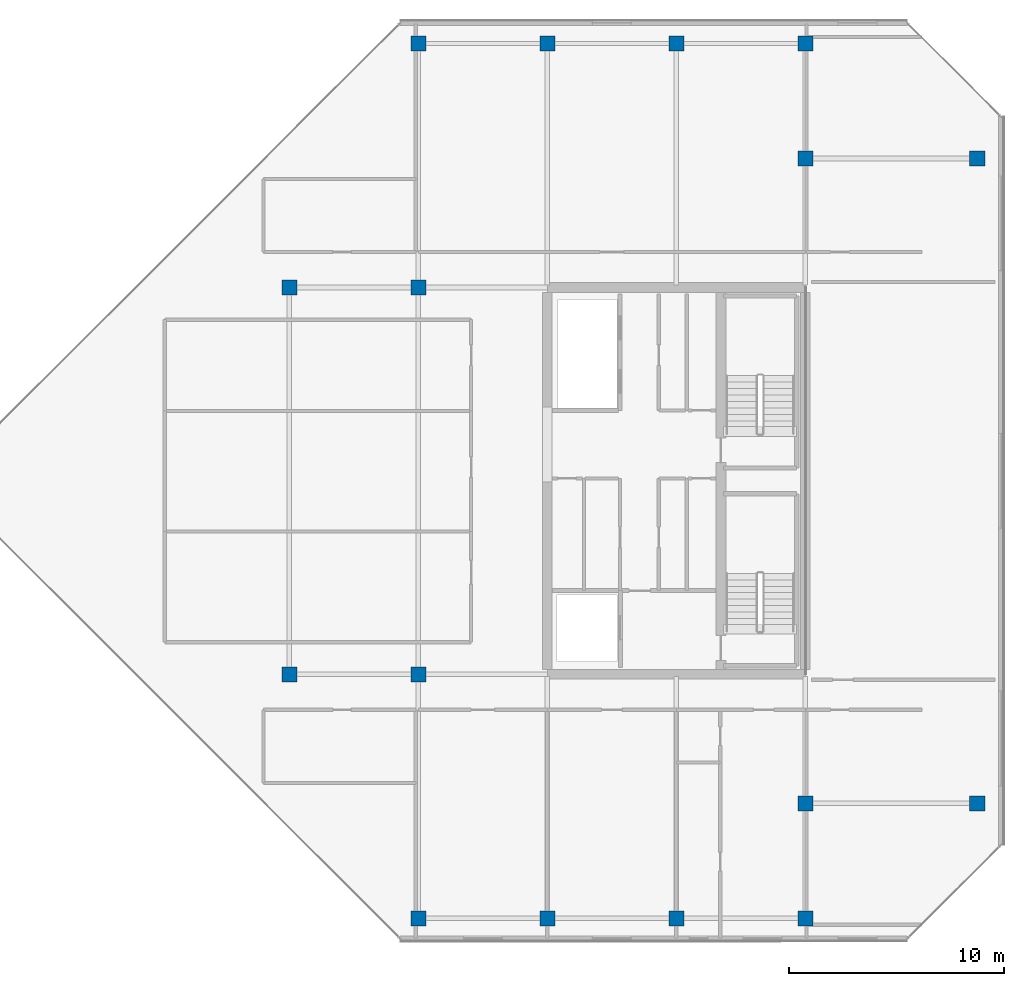
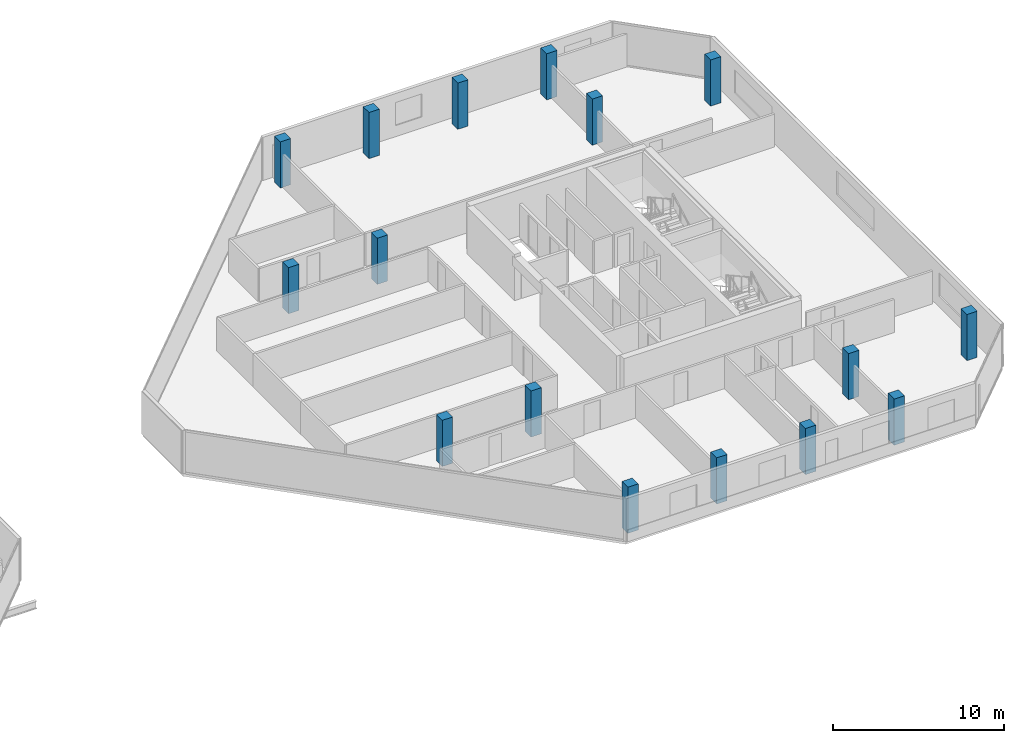
# One storey, part 1 of 29: 16 columns.
"""IFC4 building model written with IfcOpenShell, lengths in metres."""

from ifc_helpers import new_model, si_unit, direction, frame, origin, origin_2d, place, context, subcontext, project, spatial, rectangle, extrude, material, material_profile, profile_set, type_object, element, save


model = new_model("IFC4")

# Units and contexts
model_context = context("Model", 3, precision=1e-05, world=origin(), true_north=direction((0.0, 1.0)))
body_context = subcontext(model_context, "Body", "Model", "MODEL_VIEW")
ifc_project = project(units=[si_unit("LENGTHUNIT", "METRE"), si_unit("AREAUNIT", "SQUARE_METRE"), si_unit("VOLUMEUNIT", "CUBIC_METRE"), si_unit("PLANEANGLEUNIT", "RADIAN"), si_unit("MASSUNIT", "GRAM", prefix="KILO")], contexts=[model_context])

# Site, building, storey
site_placement = place(None, origin())
site = spatial("IfcSite", under=ifc_project, at=site_placement, CompositionType="ELEMENT")
building_placement = place(site_placement, origin())
building = spatial("IfcBuilding", under=site, at=building_placement, Name="Tanjung Sevakor Pilgrim Tower", CompositionType="ELEMENT")
storey_placement = place(building_placement, frame((0.0, 0.0, 235.949951171875)))
storey = spatial("IfcBuildingStorey", under=building, at=storey_placement, Name="L66", CompositionType="ELEMENT", Elevation=235.949951171875)

# Columns
ifc_material = material(Name="Concrete C60/75", Category="concrete")
ifc_material_profile = material_profile(ifc_material, rectangle(XDim=0.699951171875, YDim=0.699951171875, at=origin_2d()))
ifc_profile_set = profile_set([ifc_material_profile], Name="Concrete C60/75")
column_type = type_object("IfcColumnType", Name="COL-C-T700-RC_700x700", PredefinedType="COLUMN", material=ifc_profile_set)
for number, where, z_axis, x_axis, name in (
    (1, (66.0, 24.60009765625, 0.0), (0.0, 0.0, 1.0), (1.0, 0.0, 0.0), "L66 Column SPE-066-246"),
    (2, (66.0, 42.60009765625, 0.0), (0.0, 0.0, 1.0), (1.0, 0.0, 0.0), "L66 Column SPE-066-426"),
    (3, (72.0, 24.60009765625, 0.0), (0.0, 0.0, 1.0), (1.0, 0.0, 0.0), "L66 Column SPE-072-246"),
    (4, (72.0, 42.60009765625, 0.0), (0.0, 0.0, 1.0), (1.0, 0.0, 0.0), "L66 Column SPE-072-426"),
    (5, (90.0, 18.60009765625, 0.0), (0.0, 0.0, 1.0), (1.0, 0.0, 0.0), "L66 Column TCE-0900-186"),
    (6, (90.0, 48.60009765625, 0.0), (0.0, 0.0, 1.0), (1.0, 0.0, 0.0), "L66 Column TCE-0900-486"),
    (7, (98.0, 18.60009765625, 0.0), (0.0, 0.0, 1.0), (1.0, 0.0, 0.0), "L66 Column TCE-0980-186"),
    (8, (98.0, 48.60009765625, 0.0), (0.0, 0.0, 1.0), (1.0, 0.0, 0.0), "L66 Column TCE-0980-486"),
    (9, (72.0, 13.25, 0.0), (0.0, 0.0, 1.0), (1.0, 0.0, 0.0), "L66 Column TC4-072-132"),
    (10, (72.0, 53.949951171875, 0.0), (0.0, 0.0, 1.0), (1.0, 0.0, 0.0), "L66 Column TC4-072-540"),
    (11, (78.0, 13.25, 0.0), (0.0, 0.0, 1.0), (1.0, 0.0, 0.0), "L66 Column TC4-078-132"),
    (12, (78.0, 53.949951171875, 0.0), (0.0, 0.0, 1.0), (1.0, 0.0, 0.0), "L66 Column TC4-078-540"),
    (13, (84.0, 13.25, 0.0), (0.0, 0.0, 1.0), (1.0, 0.0, 0.0), "L66 Column TC4-084-132"),
    (14, (84.0, 53.949951171875, 0.0), (0.0, 0.0, 1.0), (1.0, 0.0, 0.0), "L66 Column TC4-084-540"),
    (15, (90.0, 13.25, 0.0), (0.0, 0.0, 1.0), (1.0, 0.0, 0.0), "L66 Column TC4-090-132"),
    (16, (90.0, 53.949951171875, 0.0), (0.0, 0.0, 1.0), (1.0, 0.0, 0.0), "L66 Column TC4-090-540"),
):
    element("IfcColumn", number, at=place(storey_placement, frame(where, z_axis=z_axis, x_axis=x_axis)), inside=storey, type_object=column_type, Name=name, PredefinedType="COLUMN", context=body_context, shape_type="SweptSolid", body=[
        extrude(rectangle(XDim=0.699951171875, YDim=0.699951171875, at=origin_2d()), origin(), (0.0, 0.0, 1.0), 3.300048828125),
    ])

save(model, "model.ifc")
